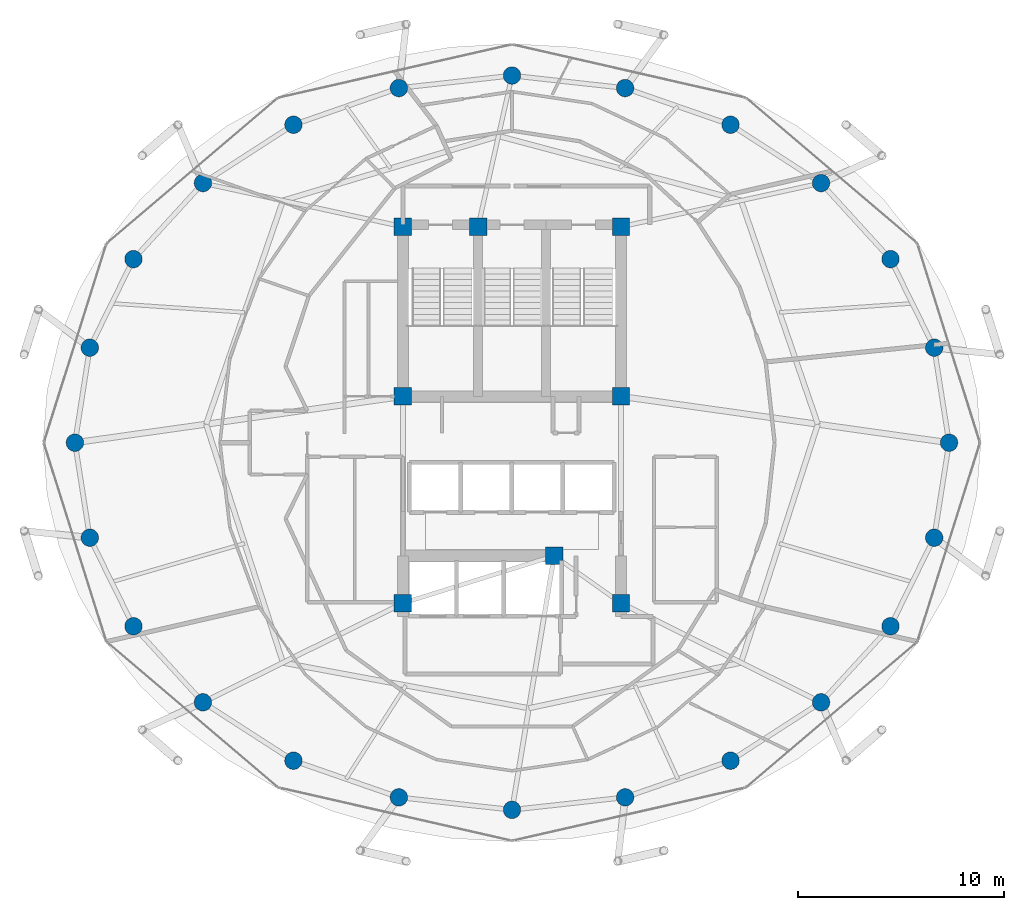
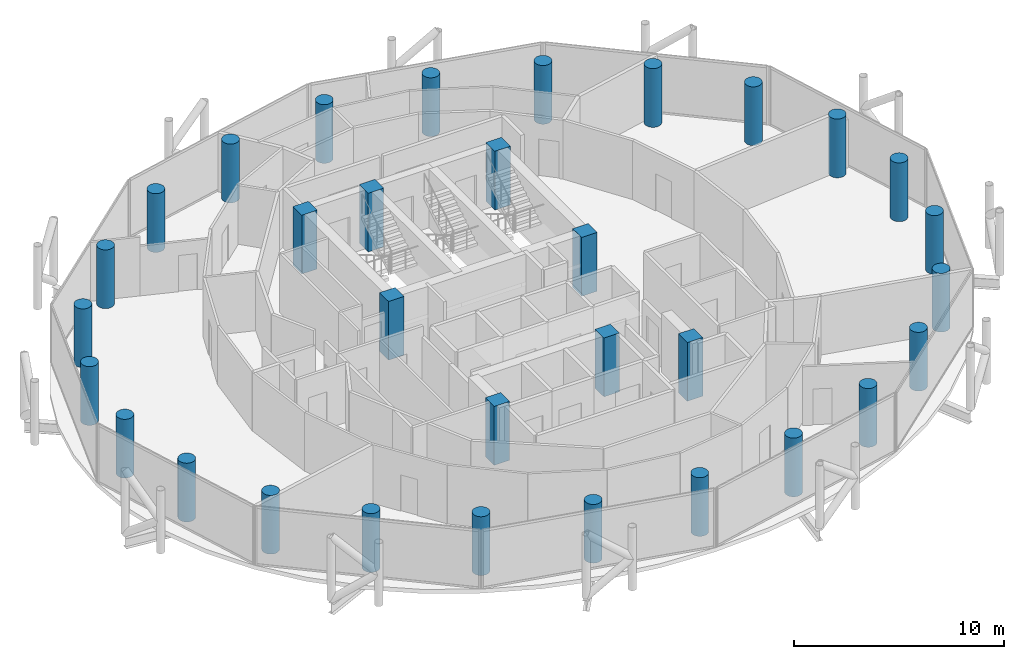
# One storey, part 1 of 27: 32 columns.
"""IFC4 building model written with IfcOpenShell, lengths in metres."""

from ifc_helpers import new_model, si_unit, direction, frame, origin, origin_2d, place, context, subcontext, project, spatial, rectangle, circle, extrude, material, material_profile, profile_set, type_object, element, save


model = new_model("IFC4")

# Units and contexts
model_context = context("Model", 3, precision=1e-05, world=origin(), true_north=direction((0.0, 1.0)))
body_context = subcontext(model_context, "Body", "Model", "MODEL_VIEW")
ifc_project = project(units=[si_unit("LENGTHUNIT", "METRE"), si_unit("AREAUNIT", "SQUARE_METRE"), si_unit("VOLUMEUNIT", "CUBIC_METRE"), si_unit("PLANEANGLEUNIT", "RADIAN"), si_unit("MASSUNIT", "GRAM", prefix="KILO")], contexts=[model_context])

# Site, building, storey
site_placement = place(None, origin())
site = spatial("IfcSite", under=ifc_project, at=site_placement, CompositionType="ELEMENT")
building_placement = place(site_placement, origin())
building = spatial("IfcBuilding", under=site, at=building_placement, Name="Nuhasar Tower", CompositionType="ELEMENT")
storey_placement = place(building_placement, frame((0.0, 0.0, 215.449951171875)))
storey = spatial("IfcBuildingStorey", under=building, at=storey_placement, Name="L52", CompositionType="ELEMENT", Elevation=215.449951171875)

# Columns
ifc_material = material(Name="Concrete C55/67", Category="concrete")
ifc_material_profile_1 = material_profile(ifc_material, circle(Radius=0.425048828125, at=origin_2d()), Name="CFT850")
ifc_profile_set_1 = profile_set([ifc_material_profile_1], Name="Concrete C55/67")
column_type_1 = type_object("IfcColumnType", Name="COL-CFT-850", PredefinedType="COLUMN", material=ifc_profile_set_1)
for number, where, z_axis, x_axis, name in (
    (1, (60.25, 26.800048828125, 0.0), (0.0, 0.0, 1.0), (1.0, 0.0, 0.0), "L52 Perimeter Composite Column TC-01"),
    (2, (59.52587890625, 31.419921875, 0.0), (0.0, 0.0, 1.0), (1.0, 0.0, 0.0), "L52 Perimeter Composite Column TC-02"),
    (3, (57.403076171875, 35.72509765625, 0.0), (0.0, 0.0, 1.0), (1.0, 0.0, 0.0), "L52 Perimeter Composite Column TC-03"),
    (4, (54.02587890625, 39.422119140625, 0.0), (0.0, 0.0, 1.0), (1.0, 0.0, 0.0), "L52 Perimeter Composite Column TC-04"),
    (5, (49.625, 42.259033203125, 0.0), (0.0, 0.0, 1.0), (1.0, 0.0, 0.0), "L52 Perimeter Composite Column TC-05"),
    (6, (44.5, 44.0419921875, 0.0), (0.0, 0.0, 1.0), (1.0, 0.0, 0.0), "L52 Perimeter Composite Column TC-06"),
    (7, (39.0, 44.64990234375, 0.0), (0.0, 0.0, 1.0), (1.0, 0.0, 0.0), "L52 Perimeter Composite Column TC-07"),
    (8, (33.5, 44.0419921875, 0.0), (0.0, 0.0, 1.0), (1.0, 0.0, 0.0), "L52 Perimeter Composite Column TC-08"),
    (9, (28.375, 42.259033203125, 0.0), (0.0, 0.0, 1.0), (1.0, 0.0, 0.0), "L52 Perimeter Composite Column TC-09"),
    (10, (23.97412109375, 39.422119140625, 0.0), (0.0, 0.0, 1.0), (1.0, 0.0, 0.0), "L52 Perimeter Composite Column TC-10"),
    (11, (20.596923828125, 35.72509765625, 0.0), (0.0, 0.0, 1.0), (1.0, 0.0, 0.0), "L52 Perimeter Composite Column TC-11"),
    (12, (18.47412109375, 31.419921875, 0.0), (0.0, 0.0, 1.0), (1.0, 0.0, 0.0), "L52 Perimeter Composite Column TC-12"),
    (13, (17.75, 26.800048828125, 0.0), (0.0, 0.0, 1.0), (1.0, 0.0, 0.0), "L52 Perimeter Composite Column TC-13"),
    (14, (18.47412109375, 22.179931640625, 0.0), (0.0, 0.0, 1.0), (1.0, 0.0, 0.0), "L52 Perimeter Composite Column TC-14"),
    (15, (20.596923828125, 17.875, 0.0), (0.0, 0.0, 1.0), (1.0, 0.0, 0.0), "L52 Perimeter Composite Column TC-15"),
    (16, (23.97412109375, 14.177978515625, 0.0), (0.0, 0.0, 1.0), (1.0, 0.0, 0.0), "L52 Perimeter Composite Column TC-16"),
    (17, (28.375, 11.341064453125, 0.0), (0.0, 0.0, 1.0), (1.0, 0.0, 0.0), "L52 Perimeter Composite Column TC-17"),
    (18, (33.5, 9.55810546875, 0.0), (0.0, 0.0, 1.0), (1.0, 0.0, 0.0), "L52 Perimeter Composite Column TC-18"),
    (19, (39.0, 8.949951171875, 0.0), (0.0, 0.0, 1.0), (1.0, 0.0, 0.0), "L52 Perimeter Composite Column TC-19"),
    (20, (44.5, 9.55810546875, 0.0), (0.0, 0.0, 1.0), (1.0, 0.0, 0.0), "L52 Perimeter Composite Column TC-20"),
    (21, (49.625, 11.341064453125, 0.0), (0.0, 0.0, 1.0), (1.0, 0.0, 0.0), "L52 Perimeter Composite Column TC-21"),
    (22, (54.02587890625, 14.177978515625, 0.0), (0.0, 0.0, 1.0), (1.0, 0.0, 0.0), "L52 Perimeter Composite Column TC-22"),
    (23, (57.403076171875, 17.875, 0.0), (0.0, 0.0, 1.0), (1.0, 0.0, 0.0), "L52 Perimeter Composite Column TC-23"),
    (24, (59.52587890625, 22.179931640625, 0.0), (0.0, 0.0, 1.0), (1.0, 0.0, 0.0), "L52 Perimeter Composite Column TC-24"),
):
    element("IfcColumn", number, at=place(storey_placement, frame(where, z_axis=z_axis, x_axis=x_axis)), inside=storey, type_object=column_type_1, Name=name, PredefinedType="COLUMN", context=body_context, shape_type="SweptSolid", body=[
        extrude(circle(Radius=0.425048828125, at=origin_2d()), origin(), (0.0, 0.0, 1.0), 3.41015625),
    ])
ifc_material_profile_2 = material_profile(ifc_material, rectangle(XDim=0.85009765625, YDim=0.85009765625, at=origin_2d()), Name="RC850X850")
ifc_profile_set_2 = profile_set([ifc_material_profile_2], Name="Concrete C55/67")
column_type_2 = type_object("IfcColumnType", Name="PIL-RC-850", PredefinedType="PILASTER", material=ifc_profile_set_2)
for number, where, z_axis, x_axis, name in (
    (25, (33.699951171875, 19.0, 0.0), (0.0, 0.0, 1.0), (1.0, 0.0, 0.0), "L52 Core Boundary Pilaster CC-01"),
    (26, (41.050048828125, 21.300048828125, 0.0), (0.0, 0.0, 1.0), (1.0, 0.0, 0.0), "L52 Core Boundary Pilaster CC-02"),
    (27, (44.300048828125, 19.0, 0.0), (0.0, 0.0, 1.0), (1.0, 0.0, 0.0), "L52 Core Boundary Pilaster CC-03"),
    (28, (44.300048828125, 29.050048828125, 0.0), (0.0, 0.0, 1.0), (1.0, 0.0, 0.0), "L52 Core Boundary Pilaster CC-04"),
    (29, (44.300048828125, 37.300048828125, 0.0), (0.0, 0.0, 1.0), (1.0, 0.0, 0.0), "L52 Core Boundary Pilaster CC-05"),
    (30, (37.35009765625, 37.300048828125, 0.0), (0.0, 0.0, 1.0), (1.0, 0.0, 0.0), "L52 Core Boundary Pilaster CC-06"),
    (31, (33.699951171875, 37.300048828125, 0.0), (0.0, 0.0, 1.0), (1.0, 0.0, 0.0), "L52 Core Boundary Pilaster CC-07"),
    (32, (33.699951171875, 29.050048828125, 0.0), (0.0, 0.0, 1.0), (1.0, 0.0, 0.0), "L52 Core Boundary Pilaster CC-08"),
):
    element("IfcColumn", number, at=place(storey_placement, frame(where, z_axis=z_axis, x_axis=x_axis)), inside=storey, type_object=column_type_2, Name=name, PredefinedType="PILASTER", context=body_context, shape_type="SweptSolid", body=[
        extrude(rectangle(XDim=0.85009765625, YDim=0.85009765625, at=origin_2d()), origin(), (0.0, 0.0, 1.0), 3.41015625),
    ])

save(model, "model.ifc")
